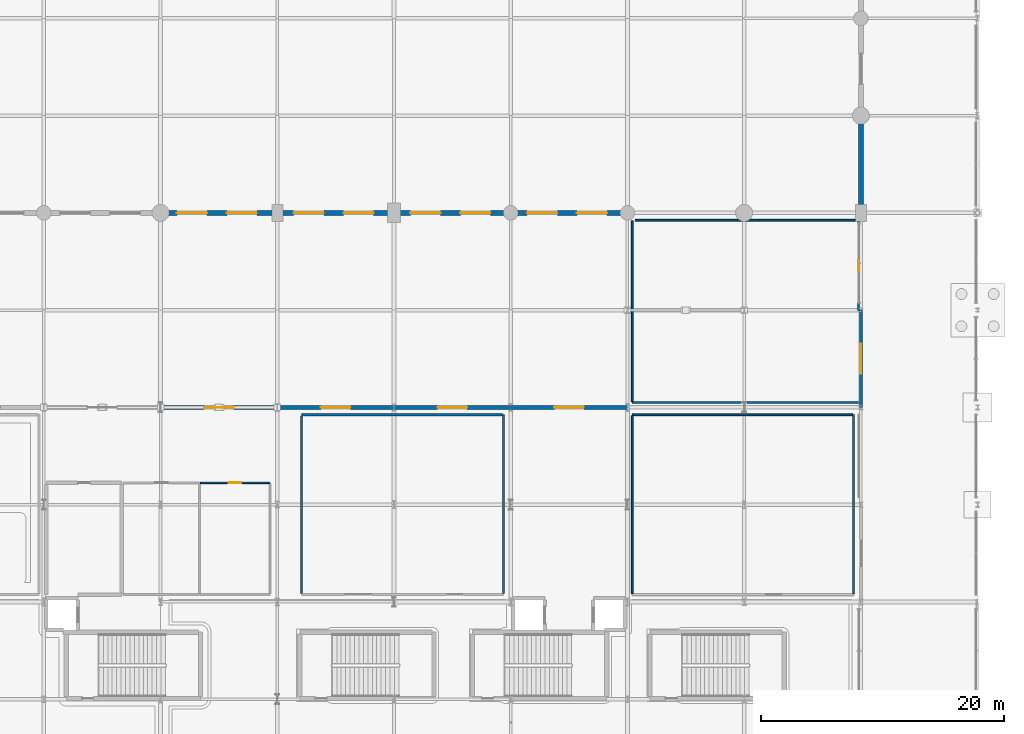
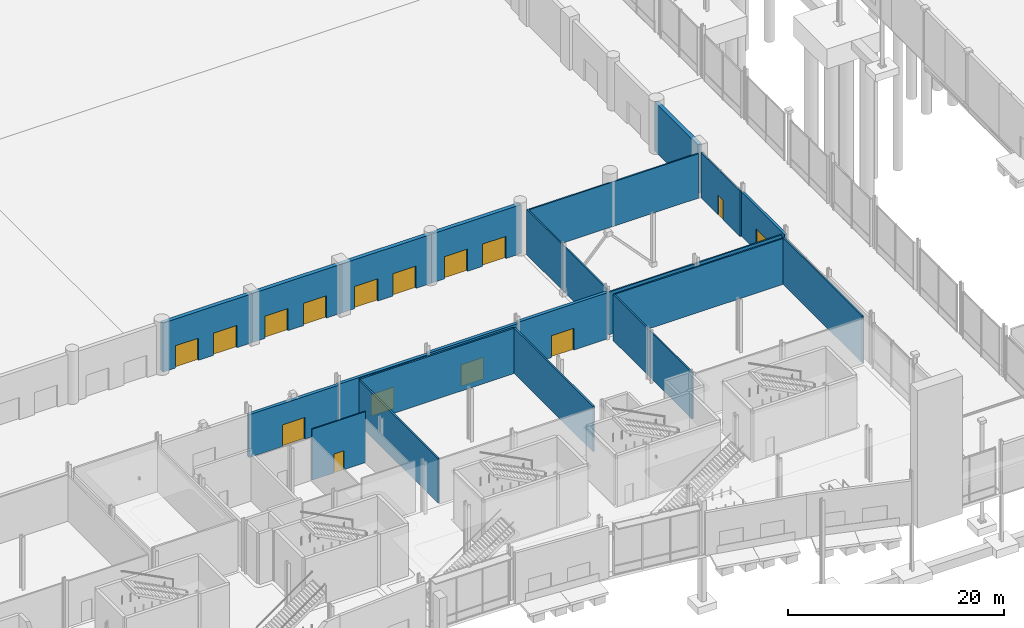
# One storey, part 76 of 124: 21 walls, 14 doors, 1 window, 15 openings.
"""IFC4 building model written with IfcOpenShell, lengths in metres."""

from ifc_helpers import new_model, si_unit, direction, frame, frame_2d, origin, place, context, subcontext, project, spatial, rectangle, extrude, material, layer, layer_set, type_object, element, fill, save


model = new_model("IFC4")

# Units and contexts
model_context = context("Model", 3, precision=1e-05, world=origin(), true_north=direction((0.0, 1.0)))
body_context = subcontext(model_context, "Body", "Model", "MODEL_VIEW")
ifc_project = project(units=[si_unit("LENGTHUNIT", "METRE"), si_unit("AREAUNIT", "SQUARE_METRE"), si_unit("VOLUMEUNIT", "CUBIC_METRE"), si_unit("PLANEANGLEUNIT", "RADIAN"), si_unit("MASSUNIT", "GRAM", prefix="KILO")], contexts=[model_context])

# Site, building, storey
site_placement = place(None, origin())
site = spatial("IfcSite", under=ifc_project, at=site_placement, CompositionType="ELEMENT")
building_placement = place(site_placement, origin())
building = spatial("IfcBuilding", under=site, at=building_placement, Name="Danafjord Basin Convention Centre", CompositionType="ELEMENT")
storey_placement = place(building_placement, origin())
storey = spatial("IfcBuildingStorey", under=building, at=storey_placement, Name="L00", CompositionType="ELEMENT", Elevation=0.0)

# Wall, opening, door
ifc_material_1 = material(Name="Precast concrete C40/50", Category="concrete")
ifc_layer_1 = layer(ifc_material_1, 0.340087890625)
ifc_layer_set_1 = layer_set([ifc_layer_1], Name="Precast concrete C40/50")
wall_type_1 = type_object("IfcWallType", Name="WALL-EW-PC340", PredefinedType="SOLIDWALL", material=ifc_layer_set_1)
wall_1_placement = place(storey_placement, frame((57.60009765625, 40.0, 0.0), z_axis=(0.0, 0.0, 1.0), x_axis=(1.0, 0.0, 0.0)))
wall_1 = element("IfcWall", 1, at=wall_1_placement, inside=storey, type_object=wall_type_1, Name="L00 courtyard north facade wall", PredefinedType="SOLIDWALL", context=body_context, shape_type="SweptSolid", body=[
    extrude(rectangle(XDim=9.599853515625, YDim=0.340087890625, at=frame_2d((4.7998046875, 0.0))), origin(), (0.0, 0.0, 1.0), 4.840087890625),
])
opening_1_placement = place(wall_1_placement, frame((3.590087890625, 0.0, 0.0)))
opening_1 = element("IfcOpeningElement", 2, at=opening_1_placement, cuts=wall_1, Name="Opening ED-03", PredefinedType="OPENING", context=body_context, shape_type="SweptSolid", body=[
    extrude(rectangle(XDim=2.419921875, YDim=2.4599609375, at=frame_2d((1.2099609375, 1.22998046875))), frame((0.0, 0.179931640625, 0.0), z_axis=(0.0, -1.0, 0.0), x_axis=(1.0, 0.0, 0.0)), (0.0, 0.0, 1.0), 0.360107421875),
])
ifc_material_2 = material(Name="Thermally broken anodised aluminium and steel", Category="steel")
door_type_1 = type_object("IfcDoorType", Name="DOOR-ED-03", OperationType="DOUBLE_DOOR_SINGLE_SWING", PredefinedType="DOOR", material=ifc_material_2)
door_1_placement = place(opening_1_placement, origin())
door_1 = element("IfcDoor", 3, at=door_1_placement, inside=storey, type_object=door_type_1, Name="Courtyard Concourse Exit Door", OperationType="DOUBLE_DOOR_SINGLE_SWING", OverallHeight=2.4599609375, OverallWidth=2.419921875, PredefinedType="DOOR", context=body_context, shape_type="SweptSolid", body=[
    extrude(rectangle(XDim=2.419921875, YDim=2.4599609375, at=frame_2d((1.2099609375, 1.22998046875))), frame((0.0, 0.02490234375, 0.0), z_axis=(0.0, -1.0, 0.0), x_axis=(1.0, 0.0, 0.0)), (0.0, 0.0, 1.0), 0.050048828125),
])
fill(opening_1, door_1)

wall_2_placement = place(storey_placement, frame((67.199951171875, 40.0, 0.0), z_axis=(0.0, 0.0, 1.0), x_axis=(1.0, 0.0, 0.0)))
wall_2 = element("IfcWall", 4, at=wall_2_placement, inside=storey, type_object=wall_type_1, Name="L00 courtyard north facade wall", PredefinedType="SOLIDWALL", context=body_context, shape_type="SweptSolid", body=[
    extrude(rectangle(XDim=9.60009765625, YDim=0.340087890625, at=frame_2d((4.800048828125, 0.0))), origin(), (0.0, 0.0, 1.0), 4.93994140625),
])
opening_2_placement = place(wall_2_placement, frame((3.590087890625, 0.0, 0.0)))
opening_2 = element("IfcOpeningElement", 5, at=opening_2_placement, cuts=wall_2, Name="Opening ED-03", PredefinedType="OPENING", context=body_context, shape_type="SweptSolid", body=[
    extrude(rectangle(XDim=2.419921875, YDim=2.4599609375, at=frame_2d((1.2099609375, 1.22998046875))), frame((0.0, 0.179931640625, 0.0), z_axis=(0.0, -1.0, 0.0), x_axis=(1.0, 0.0, 0.0)), (0.0, 0.0, 1.0), 0.360107421875),
])
door_2_placement = place(opening_2_placement, origin())
door_2 = element("IfcDoor", 6, at=door_2_placement, inside=storey, type_object=door_type_1, Name="Courtyard Concourse Exit Door", OperationType="DOUBLE_DOOR_SINGLE_SWING", OverallHeight=2.4599609375, OverallWidth=2.419921875, PredefinedType="DOOR", context=body_context, shape_type="SweptSolid", body=[
    extrude(rectangle(XDim=2.419921875, YDim=2.4599609375, at=frame_2d((1.2099609375, 1.22998046875))), frame((0.0, 0.02490234375, 0.0), z_axis=(0.0, -1.0, 0.0), x_axis=(1.0, 0.0, 0.0)), (0.0, 0.0, 1.0), 0.050048828125),
])
fill(opening_2, door_2)

wall_3_placement = place(storey_placement, frame((76.800048828125, 40.0, 0.0), z_axis=(0.0, 0.0, 1.0), x_axis=(1.0, 0.0, 0.0)))
wall_3 = element("IfcWall", 7, at=wall_3_placement, inside=storey, type_object=wall_type_1, Name="L00 courtyard north facade wall", PredefinedType="SOLIDWALL", context=body_context, shape_type="SweptSolid", body=[
    extrude(rectangle(XDim=9.599853515625, YDim=0.340087890625, at=frame_2d((4.7998046875, 0.0))), origin(), (0.0, 0.0, 1.0), 5.090087890625),
])
opening_3_placement = place(wall_3_placement, frame((3.590087890625, 0.0, 0.0)))
opening_3 = element("IfcOpeningElement", 8, at=opening_3_placement, cuts=wall_3, Name="Opening ED-03", PredefinedType="OPENING", context=body_context, shape_type="SweptSolid", body=[
    extrude(rectangle(XDim=2.419921875, YDim=2.4599609375, at=frame_2d((1.2099609375, 1.22998046875))), frame((0.0, 0.179931640625, 0.0), z_axis=(0.0, -1.0, 0.0), x_axis=(1.0, 0.0, 0.0)), (0.0, 0.0, 1.0), 0.360107421875),
])
door_3_placement = place(opening_3_placement, origin())
door_3 = element("IfcDoor", 9, at=door_3_placement, inside=storey, type_object=door_type_1, Name="Courtyard Concourse Exit Door", OperationType="DOUBLE_DOOR_SINGLE_SWING", OverallHeight=2.4599609375, OverallWidth=2.419921875, PredefinedType="DOOR", context=body_context, shape_type="SweptSolid", body=[
    extrude(rectangle(XDim=2.419921875, YDim=2.4599609375, at=frame_2d((1.2099609375, 1.22998046875))), frame((0.0, 0.02490234375, 0.0), z_axis=(0.0, -1.0, 0.0), x_axis=(1.0, 0.0, 0.0)), (0.0, 0.0, 1.0), 0.050048828125),
])
fill(opening_3, door_3)

wall_4_placement = place(storey_placement, frame((86.39990234375, 40.0, 0.0), z_axis=(0.0, 0.0, 1.0), x_axis=(1.0, 0.0, 0.0)))
wall_4 = element("IfcWall", 10, at=wall_4_placement, inside=storey, type_object=wall_type_1, Name="L00 courtyard north facade wall", PredefinedType="SOLIDWALL", context=body_context, shape_type="SweptSolid", body=[
    extrude(rectangle(XDim=9.60009765625, YDim=0.340087890625, at=frame_2d((4.800048828125, 0.0))), origin(), (0.0, 0.0, 1.0), 5.239990234375),
])
opening_4_placement = place(wall_4_placement, frame((3.590087890625, 0.0, 0.0)))
opening_4 = element("IfcOpeningElement", 11, at=opening_4_placement, cuts=wall_4, Name="Opening ED-03", PredefinedType="OPENING", context=body_context, shape_type="SweptSolid", body=[
    extrude(rectangle(XDim=2.419921875, YDim=2.4599609375, at=frame_2d((1.2099609375, 1.22998046875))), frame((0.0, 0.179931640625, 0.0), z_axis=(0.0, -1.0, 0.0), x_axis=(1.0, 0.0, 0.0)), (0.0, 0.0, 1.0), 0.360107421875),
])
door_4_placement = place(opening_4_placement, origin())
door_4 = element("IfcDoor", 12, at=door_4_placement, inside=storey, type_object=door_type_1, Name="Courtyard Concourse Exit Door", OperationType="DOUBLE_DOOR_SINGLE_SWING", OverallHeight=2.4599609375, OverallWidth=2.419921875, PredefinedType="DOOR", context=body_context, shape_type="SweptSolid", body=[
    extrude(rectangle(XDim=2.419921875, YDim=2.4599609375, at=frame_2d((1.2099609375, 1.22998046875))), frame((0.0, 0.02490234375, 0.0), z_axis=(0.0, -1.0, 0.0), x_axis=(1.0, 0.0, 0.0)), (0.0, 0.0, 1.0), 0.050048828125),
])
fill(opening_4, door_4)

# Wall, openings, doors
ifc_material_3 = material(Name="Precast concrete C45/55", Category="concrete")
ifc_layer_2 = layer(ifc_material_3, 0.419921875)
ifc_layer_set_2 = layer_set([ifc_layer_2], Name="Precast concrete C45/55")
wall_type_2 = type_object("IfcWallType", Name="WALL-EW-PC420", PredefinedType="SOLIDWALL", material=ifc_layer_set_2)
wall_5_placement = place(storey_placement, frame((57.60009765625, 56.0, 0.0), z_axis=(0.0, 0.0, 1.0), x_axis=(1.0, 0.0, 0.0)))
wall_5 = element("IfcWall", 13, at=wall_5_placement, inside=storey, type_object=wall_type_2, Name="Exhibition hall S acoustic precast wall bay 7", PredefinedType="SOLIDWALL", context=body_context, shape_type="SweptSolid", body=[
    extrude(rectangle(XDim=9.599853515625, YDim=0.419921875, at=frame_2d((4.7998046875, 0.0))), origin(), (0.0, 0.0, 1.0), 5.550048828125),
])
opening_5_placement = place(wall_5_placement, frame((1.35009765625, 0.0, 0.0)))
opening_5 = element("IfcOpeningElement", 14, at=opening_5_placement, cuts=wall_5, Name="Opening ED-02", PredefinedType="OPENING", context=body_context, shape_type="SweptSolid", body=[
    extrude(rectangle(XDim=2.47998046875, YDim=2.52001953125, at=frame_2d((1.239990234375, 1.260009765625))), frame((0.0, 0.219970703125, 0.0), z_axis=(0.0, -1.0, 0.0), x_axis=(1.0, 0.0, 0.0)), (0.0, 0.0, 1.0), 0.43994140625),
])
opening_6_placement = place(wall_5_placement, frame((5.449951171875, 0.0, 0.0)))
opening_6 = element("IfcOpeningElement", 15, at=opening_6_placement, cuts=wall_5, Name="Opening ED-02", PredefinedType="OPENING", context=body_context, shape_type="SweptSolid", body=[
    extrude(rectangle(XDim=2.47998046875, YDim=2.52001953125, at=frame_2d((1.239990234375, 1.260009765625))), frame((0.0, 0.219970703125, 0.0), z_axis=(0.0, -1.0, 0.0), x_axis=(1.0, 0.0, 0.0)), (0.0, 0.0, 1.0), 0.43994140625),
])
door_type_2 = type_object("IfcDoorType", Name="DOOR-ED-02", OperationType="DOUBLE_DOOR_SINGLE_SWING", PredefinedType="DOOR", material=ifc_material_2)
door_5_placement = place(opening_5_placement, origin())
door_5 = element("IfcDoor", 16, at=door_5_placement, inside=storey, type_object=door_type_2, Name="Exhibition Hall Exit Door EX-19", OperationType="DOUBLE_DOOR_SINGLE_SWING", OverallHeight=2.52001953125, OverallWidth=2.47998046875, PredefinedType="DOOR", context=body_context, shape_type="SweptSolid", body=[
    extrude(rectangle(XDim=2.47998046875, YDim=2.52001953125, at=frame_2d((1.239990234375, 1.260009765625))), frame((0.0, 0.02490234375, 0.0), z_axis=(0.0, -1.0, 0.0), x_axis=(1.0, 0.0, 0.0)), (0.0, 0.0, 1.0), 0.050048828125),
])
fill(opening_5, door_5)
door_6_placement = place(opening_6_placement, origin())
door_6 = element("IfcDoor", 17, at=door_6_placement, inside=storey, type_object=door_type_2, Name="Exhibition Hall Exit Door EX-20", OperationType="DOUBLE_DOOR_SINGLE_SWING", OverallHeight=2.52001953125, OverallWidth=2.47998046875, PredefinedType="DOOR", context=body_context, shape_type="SweptSolid", body=[
    extrude(rectangle(XDim=2.47998046875, YDim=2.52001953125, at=frame_2d((1.239990234375, 1.260009765625))), frame((0.0, 0.02490234375, 0.0), z_axis=(0.0, -1.0, 0.0), x_axis=(1.0, 0.0, 0.0)), (0.0, 0.0, 1.0), 0.050048828125),
])
fill(opening_6, door_6)

wall_6_placement = place(storey_placement, frame((67.199951171875, 56.0, 0.0), z_axis=(0.0, 0.0, 1.0), x_axis=(1.0, 0.0, 0.0)))
wall_6 = element("IfcWall", 18, at=wall_6_placement, inside=storey, type_object=wall_type_2, Name="Exhibition hall S acoustic precast wall bay 8", PredefinedType="SOLIDWALL", context=body_context, shape_type="SweptSolid", body=[
    extrude(rectangle(XDim=9.60009765625, YDim=0.419921875, at=frame_2d((4.800048828125, 0.0))), origin(), (0.0, 0.0, 1.0), 5.550048828125),
])
opening_7_placement = place(wall_6_placement, frame((1.35009765625, 0.0, 0.0)))
opening_7 = element("IfcOpeningElement", 19, at=opening_7_placement, cuts=wall_6, Name="Opening ED-02", PredefinedType="OPENING", context=body_context, shape_type="SweptSolid", body=[
    extrude(rectangle(XDim=2.47998046875, YDim=2.52001953125, at=frame_2d((1.239990234375, 1.260009765625))), frame((0.0, 0.219970703125, 0.0), z_axis=(0.0, -1.0, 0.0), x_axis=(1.0, 0.0, 0.0)), (0.0, 0.0, 1.0), 0.43994140625),
])
opening_8_placement = place(wall_6_placement, frame((5.449951171875, 0.0, 0.0)))
opening_8 = element("IfcOpeningElement", 20, at=opening_8_placement, cuts=wall_6, Name="Opening ED-02", PredefinedType="OPENING", context=body_context, shape_type="SweptSolid", body=[
    extrude(rectangle(XDim=2.47998046875, YDim=2.52001953125, at=frame_2d((1.239990234375, 1.260009765625))), frame((0.0, 0.219970703125, 0.0), z_axis=(0.0, -1.0, 0.0), x_axis=(1.0, 0.0, 0.0)), (0.0, 0.0, 1.0), 0.43994140625),
])
door_7_placement = place(opening_7_placement, origin())
door_7 = element("IfcDoor", 21, at=door_7_placement, inside=storey, type_object=door_type_2, Name="Exhibition Hall Exit Door EX-23", OperationType="DOUBLE_DOOR_SINGLE_SWING", OverallHeight=2.52001953125, OverallWidth=2.47998046875, PredefinedType="DOOR", context=body_context, shape_type="SweptSolid", body=[
    extrude(rectangle(XDim=2.47998046875, YDim=2.52001953125, at=frame_2d((1.239990234375, 1.260009765625))), frame((0.0, 0.02490234375, 0.0), z_axis=(0.0, -1.0, 0.0), x_axis=(1.0, 0.0, 0.0)), (0.0, 0.0, 1.0), 0.050048828125),
])
fill(opening_7, door_7)
door_8_placement = place(opening_8_placement, origin())
door_8 = element("IfcDoor", 22, at=door_8_placement, inside=storey, type_object=door_type_2, Name="Exhibition Hall Exit Door EX-24", OperationType="DOUBLE_DOOR_SINGLE_SWING", OverallHeight=2.52001953125, OverallWidth=2.47998046875, PredefinedType="DOOR", context=body_context, shape_type="SweptSolid", body=[
    extrude(rectangle(XDim=2.47998046875, YDim=2.52001953125, at=frame_2d((1.239990234375, 1.260009765625))), frame((0.0, 0.02490234375, 0.0), z_axis=(0.0, -1.0, 0.0), x_axis=(1.0, 0.0, 0.0)), (0.0, 0.0, 1.0), 0.050048828125),
])
fill(opening_8, door_8)

wall_7_placement = place(storey_placement, frame((76.800048828125, 56.0, 0.0), z_axis=(0.0, 0.0, 1.0), x_axis=(1.0, 0.0, 0.0)))
wall_7 = element("IfcWall", 23, at=wall_7_placement, inside=storey, type_object=wall_type_2, Name="Exhibition hall S acoustic precast wall bay 9", PredefinedType="SOLIDWALL", context=body_context, shape_type="SweptSolid", body=[
    extrude(rectangle(XDim=9.599853515625, YDim=0.419921875, at=frame_2d((4.7998046875, 0.0))), origin(), (0.0, 0.0, 1.0), 5.550048828125),
])
opening_9_placement = place(wall_7_placement, frame((1.35009765625, 0.0, 0.0)))
opening_9 = element("IfcOpeningElement", 24, at=opening_9_placement, cuts=wall_7, Name="Opening ED-02", PredefinedType="OPENING", context=body_context, shape_type="SweptSolid", body=[
    extrude(rectangle(XDim=2.47998046875, YDim=2.52001953125, at=frame_2d((1.239990234375, 1.260009765625))), frame((0.0, 0.219970703125, 0.0), z_axis=(0.0, -1.0, 0.0), x_axis=(1.0, 0.0, 0.0)), (0.0, 0.0, 1.0), 0.43994140625),
])
opening_10_placement = place(wall_7_placement, frame((5.449951171875, 0.0, 0.0)))
opening_10 = element("IfcOpeningElement", 25, at=opening_10_placement, cuts=wall_7, Name="Opening ED-02", PredefinedType="OPENING", context=body_context, shape_type="SweptSolid", body=[
    extrude(rectangle(XDim=2.47998046875, YDim=2.52001953125, at=frame_2d((1.239990234375, 1.260009765625))), frame((0.0, 0.219970703125, 0.0), z_axis=(0.0, -1.0, 0.0), x_axis=(1.0, 0.0, 0.0)), (0.0, 0.0, 1.0), 0.43994140625),
])
door_9_placement = place(opening_9_placement, origin())
door_9 = element("IfcDoor", 26, at=door_9_placement, inside=storey, type_object=door_type_2, Name="Exhibition Hall Exit Door EX-26", OperationType="DOUBLE_DOOR_SINGLE_SWING", OverallHeight=2.52001953125, OverallWidth=2.47998046875, PredefinedType="DOOR", context=body_context, shape_type="SweptSolid", body=[
    extrude(rectangle(XDim=2.47998046875, YDim=2.52001953125, at=frame_2d((1.239990234375, 1.260009765625))), frame((0.0, 0.02490234375, 0.0), z_axis=(0.0, -1.0, 0.0), x_axis=(1.0, 0.0, 0.0)), (0.0, 0.0, 1.0), 0.050048828125),
])
fill(opening_9, door_9)
door_10_placement = place(opening_10_placement, origin())
door_10 = element("IfcDoor", 27, at=door_10_placement, inside=storey, type_object=door_type_2, Name="Exhibition Hall Exit Door EX-27", OperationType="DOUBLE_DOOR_SINGLE_SWING", OverallHeight=2.52001953125, OverallWidth=2.47998046875, PredefinedType="DOOR", context=body_context, shape_type="SweptSolid", body=[
    extrude(rectangle(XDim=2.47998046875, YDim=2.52001953125, at=frame_2d((1.239990234375, 1.260009765625))), frame((0.0, 0.02490234375, 0.0), z_axis=(0.0, -1.0, 0.0), x_axis=(1.0, 0.0, 0.0)), (0.0, 0.0, 1.0), 0.050048828125),
])
fill(opening_10, door_10)

wall_8_placement = place(storey_placement, frame((86.39990234375, 56.0, 0.0), z_axis=(0.0, 0.0, 1.0), x_axis=(1.0, 0.0, 0.0)))
wall_8 = element("IfcWall", 28, at=wall_8_placement, inside=storey, type_object=wall_type_2, Name="Exhibition hall S acoustic precast wall bay 10", PredefinedType="SOLIDWALL", context=body_context, shape_type="SweptSolid", body=[
    extrude(rectangle(XDim=9.60009765625, YDim=0.419921875, at=frame_2d((4.800048828125, 0.0))), origin(), (0.0, 0.0, 1.0), 5.550048828125),
])
opening_11_placement = place(wall_8_placement, frame((1.35009765625, 0.0, 0.0)))
opening_11 = element("IfcOpeningElement", 29, at=opening_11_placement, cuts=wall_8, Name="Opening ED-02", PredefinedType="OPENING", context=body_context, shape_type="SweptSolid", body=[
    extrude(rectangle(XDim=2.47998046875, YDim=2.52001953125, at=frame_2d((1.239990234375, 1.260009765625))), frame((0.0, 0.219970703125, 0.0), z_axis=(0.0, -1.0, 0.0), x_axis=(1.0, 0.0, 0.0)), (0.0, 0.0, 1.0), 0.43994140625),
])
opening_12_placement = place(wall_8_placement, frame((5.449951171875, 0.0, 0.0)))
opening_12 = element("IfcOpeningElement", 30, at=opening_12_placement, cuts=wall_8, Name="Opening ED-02", PredefinedType="OPENING", context=body_context, shape_type="SweptSolid", body=[
    extrude(rectangle(XDim=2.47998046875, YDim=2.52001953125, at=frame_2d((1.239990234375, 1.260009765625))), frame((0.0, 0.219970703125, 0.0), z_axis=(0.0, -1.0, 0.0), x_axis=(1.0, 0.0, 0.0)), (0.0, 0.0, 1.0), 0.43994140625),
])
door_11_placement = place(opening_11_placement, origin())
door_11 = element("IfcDoor", 31, at=door_11_placement, inside=storey, type_object=door_type_2, Name="Exhibition Hall Exit Door EX-29", OperationType="DOUBLE_DOOR_SINGLE_SWING", OverallHeight=2.52001953125, OverallWidth=2.47998046875, PredefinedType="DOOR", context=body_context, shape_type="SweptSolid", body=[
    extrude(rectangle(XDim=2.47998046875, YDim=2.52001953125, at=frame_2d((1.239990234375, 1.260009765625))), frame((0.0, 0.02490234375, 0.0), z_axis=(0.0, -1.0, 0.0), x_axis=(1.0, 0.0, 0.0)), (0.0, 0.0, 1.0), 0.050048828125),
])
fill(opening_11, door_11)
door_12_placement = place(opening_12_placement, origin())
door_12 = element("IfcDoor", 32, at=door_12_placement, inside=storey, type_object=door_type_2, Name="Exhibition Hall Exit Door EX-30", OperationType="DOUBLE_DOOR_SINGLE_SWING", OverallHeight=2.52001953125, OverallWidth=2.47998046875, PredefinedType="DOOR", context=body_context, shape_type="SweptSolid", body=[
    extrude(rectangle(XDim=2.47998046875, YDim=2.52001953125, at=frame_2d((1.239990234375, 1.260009765625))), frame((0.0, 0.02490234375, 0.0), z_axis=(0.0, -1.0, 0.0), x_axis=(1.0, 0.0, 0.0)), (0.0, 0.0, 1.0), 0.050048828125),
])
fill(opening_12, door_12)

# Wall
wall_9_placement = place(storey_placement, frame((115.199951171875, 56.0, 0.0), z_axis=(0.0, 0.0, 1.0), x_axis=(0.0, 1.0, 0.0)))
element("IfcWall", 33, at=wall_9_placement, inside=storey, type_object=wall_type_2, Name="Exhibition hall E precast wall bay 1", PredefinedType="SOLIDWALL", context=body_context, shape_type="SweptSolid", body=[
    extrude(rectangle(XDim=8.0, YDim=0.419921875, at=frame_2d((4.0, 0.0))), origin(), (0.0, 0.0, 1.0), 5.550048828125),
])

# Wall, opening, window
ifc_material_4 = material(Name="Concrete C35/45", Category="concrete")
ifc_layer_3 = layer(ifc_material_4, 0.260009765625)
ifc_layer_set_3 = layer_set([ifc_layer_3], Name="Concrete C35/45")
wall_type_3 = type_object("IfcWallType", Name="WALL-EW-STD260", PredefinedType="STANDARD", material=ifc_layer_set_3)
wall_10_placement = place(storey_placement, frame((115.199951171875, 40.0, 0.0), z_axis=(0.0, 0.0, 1.0), x_axis=(0.0, 1.0, 0.0)))
wall_10 = element("IfcWall", 34, at=wall_10_placement, inside=storey, type_object=wall_type_3, Name="L00 E wing facade wall", PredefinedType="STANDARD", context=body_context, shape_type="SweptSolid", body=[
    extrude(rectangle(XDim=8.0, YDim=0.260009765625, at=frame_2d((4.0, 0.0))), origin(), (0.0, 0.0, 1.0), 5.0400390625),
])
opening_13_placement = place(wall_10_placement, frame((2.75, 0.0, 0.89990234375)))
opening_13 = element("IfcOpeningElement", 35, at=opening_13_placement, cuts=wall_10, Name="Opening WN-17", PredefinedType="OPENING", context=body_context, shape_type="SweptSolid", body=[
    extrude(rectangle(XDim=2.5, YDim=1.60009765625, at=frame_2d((1.25, 0.800048828125))), frame((0.0, 0.139892578125, 0.0), z_axis=(0.0, -1.0, 0.0), x_axis=(1.0, 0.0, 0.0)), (0.0, 0.0, 1.0), 0.280029296875),
])
ifc_material_5 = material(Name="Thermally broken aluminium and triple low-E glass", Category="aluminium")
window_type = type_object("IfcWindowType", Name="WIN-WN-17", PartitioningType="SINGLE_PANEL", PredefinedType="WINDOW", material=ifc_material_5)
window_placement = place(opening_13_placement, origin())
window = element("IfcWindow", 36, at=window_placement, inside=storey, type_object=window_type, Name="L00 E window WN-17", OverallHeight=1.60009765625, OverallWidth=2.5, PartitioningType="SINGLE_PANEL", PredefinedType="WINDOW", context=body_context, shape_type="SweptSolid", body=[
    extrude(rectangle(XDim=2.5, YDim=1.60009765625, at=frame_2d((1.25, 0.800048828125))), frame((0.0, 0.030029296875, 0.0), z_axis=(0.0, -1.0, 0.0), x_axis=(1.0, 0.0, 0.0)), (0.0, 0.0, 1.0), 0.06005859375),
])
fill(opening_13, window)

# Walls
ifc_material_6 = material(Name="Acoustic double-board gypsum stud partition")
ifc_layer_4 = layer(ifc_material_6, 0.175048828125)
ifc_layer_set_4 = layer_set([ifc_layer_4], Name="Acoustic double-board gypsum stud partition")
wall_type_4 = type_object("IfcWallType", Name="WALL-PT-AC175", PredefinedType="PARTITIONING", material=ifc_layer_set_4)
wall_11_placement = place(storey_placement, frame((85.800048828125, 24.69140625, 0.0), z_axis=(0.0, 0.0, 1.0), x_axis=(0.0, 1.0, 0.0)))
element("IfcWall", 37, at=wall_11_placement, inside=storey, type_object=wall_type_4, Name="Harbour Seminar Hall M02 east partition", PredefinedType="PARTITIONING", context=body_context, shape_type="SweptSolid", body=[
    extrude(rectangle(XDim=14.70849609375, YDim=0.175048828125, at=frame_2d((7.354248046875, 0.0))), origin(), (0.0, 0.0, 1.0), 5.139892578125),
])
wall_12_placement = place(storey_placement, frame((85.70849609375, 39.39990234375, 0.0), z_axis=(0.0, 0.0, 1.0), x_axis=(-1.0, 0.0, 0.0)))
element("IfcWall", 38, at=wall_12_placement, inside=storey, type_object=wall_type_4, Name="Harbour Seminar Hall M02 north partition", PredefinedType="PARTITIONING", context=body_context, shape_type="SweptSolid", body=[
    extrude(rectangle(XDim=16.508544921875, YDim=0.175048828125, at=frame_2d((8.25439453125, 0.0))), origin(), (0.0, 0.0, 1.0), 5.139892578125),
])
wall_13_placement = place(storey_placement, frame((69.199951171875, 39.30859375, 0.0), z_axis=(0.0, 0.0, 1.0), x_axis=(0.0, -1.0, 0.0)))
element("IfcWall", 39, at=wall_13_placement, inside=storey, type_object=wall_type_4, Name="Harbour Seminar Hall M02 west partition", PredefinedType="PARTITIONING", context=body_context, shape_type="SweptSolid", body=[
    extrude(rectangle(XDim=14.6171875, YDim=0.175048828125, at=frame_2d((7.30859375, 0.0))), origin(), (0.0, 0.0, 1.0), 5.0400390625),
])

# Wall, opening, door
ifc_material_7 = material(Name="Moisture-resistant gypsum stud partition")
ifc_layer_5 = layer(ifc_material_7, 0.1201171875)
ifc_layer_set_5 = layer_set([ifc_layer_5], Name="Moisture-resistant gypsum stud partition")
wall_type_5 = type_object("IfcWallType", Name="WALL-PT-ST120", PredefinedType="PARTITIONING", material=ifc_layer_set_5)
wall_14_placement = place(storey_placement, frame((66.60009765625, 33.800048828125, 0.0), z_axis=(0.0, 0.0, 1.0), x_axis=(-1.0, 0.0, 0.0)))
wall_14 = element("IfcWall", 40, at=wall_14_placement, inside=storey, type_object=wall_type_5, Name="Ground Concourse Accessible WC north partition", PredefinedType="PARTITIONING", context=body_context, shape_type="SweptSolid", body=[
    extrude(rectangle(XDim=5.736083984375, YDim=0.1201171875, at=frame_2d((2.8681640625, 0.0))), origin(), (0.0, 0.0, 1.0), 5.77001953125),
])
opening_14_placement = place(wall_14_placement, frame((2.35302734375, 0.0, 0.0)))
opening_14 = element("IfcOpeningElement", 41, at=opening_14_placement, cuts=wall_14, Name="Opening FD-S05", PredefinedType="OPENING", context=body_context, shape_type="SweptSolid", body=[
    extrude(rectangle(XDim=1.030029296875, YDim=2.139892578125, at=frame_2d((0.51513671875, 1.06982421875))), frame((0.0, 0.070068359375, 0.0), z_axis=(0.0, -1.0, 0.0), x_axis=(1.0, 0.0, 0.0)), (0.0, 0.0, 1.0), 0.14013671875),
])
ifc_material_8 = material(Name="Powder-coated steel and Nordic oak", Category="steel")
door_type_3 = type_object("IfcDoorType", Name="DOOR-FD-S05", OperationType="NOTDEFINED", PredefinedType="DOOR", material=ifc_material_8)
door_13_placement = place(opening_14_placement, origin())
door_13 = element("IfcDoor", 42, at=door_13_placement, inside=storey, type_object=door_type_3, Name="Ground Concourse Accessible WC Entrance Door", OperationType="SINGLE_SWING_LEFT", OverallHeight=2.139892578125, OverallWidth=1.030029296875, PredefinedType="DOOR", context=body_context, shape_type="SweptSolid", body=[
    extrude(rectangle(XDim=1.030029296875, YDim=2.139892578125, at=frame_2d((0.51513671875, 1.06982421875))), frame((0.0, 0.02490234375, 0.0), z_axis=(0.0, -1.0, 0.0), x_axis=(1.0, 0.0, 0.0)), (0.0, 0.0, 1.0), 0.050048828125),
])
fill(opening_14, door_13)

# Walls
ifc_material_9 = material(Name="Fire-rated gypsum metal-stud partition")
ifc_layer_6 = layer(ifc_material_9, 0.14990234375)
ifc_layer_set_6 = layer_set([ifc_layer_6], Name="Fire-rated gypsum metal-stud partition")
wall_type_6 = type_object("IfcWallType", Name="WALL-PT-ST150", PredefinedType="PARTITIONING", material=ifc_layer_set_6)
wall_15_placement = place(storey_placement, frame((114.60009765625, 24.678955078125, 0.0), z_axis=(0.0, 0.0, 1.0), x_axis=(0.0, 1.0, 0.0)))
element("IfcWall", 43, at=wall_15_placement, inside=storey, type_object=wall_type_6, Name="Delegate Business Centre and Kiosk east partition", PredefinedType="PARTITIONING", context=body_context, shape_type="SweptSolid", body=[
    extrude(rectangle(XDim=14.720947265625, YDim=0.14990234375, at=frame_2d((7.3603515625, 0.0))), origin(), (0.0, 0.0, 1.0), 5.2900390625),
])
wall_16_placement = place(storey_placement, frame((114.52099609375, 39.39990234375, 0.0), z_axis=(0.0, 0.0, 1.0), x_axis=(-1.0, 0.0, 0.0)))
element("IfcWall", 44, at=wall_16_placement, inside=storey, type_object=wall_type_6, Name="Delegate Business Centre and Kiosk north partition", PredefinedType="PARTITIONING", context=body_context, shape_type="SweptSolid", body=[
    extrude(rectangle(XDim=18.12109375, YDim=0.14990234375, at=frame_2d((9.060546875, 0.0))), origin(), (0.0, 0.0, 1.0), 5.18994140625),
])
wall_17_placement = place(storey_placement, frame((96.39990234375, 39.321044921875, 0.0), z_axis=(0.0, 0.0, 1.0), x_axis=(0.0, -1.0, 0.0)))
element("IfcWall", 45, at=wall_17_placement, inside=storey, type_object=wall_type_6, Name="Delegate Business Centre and Kiosk west partition", PredefinedType="PARTITIONING", context=body_context, shape_type="SweptSolid", body=[
    extrude(rectangle(XDim=14.64208984375, YDim=0.14990234375, at=frame_2d((7.321044921875, 0.0))), origin(), (0.0, 0.0, 1.0), 5.239990234375),
])

# Wall, opening, door
wall_18_placement = place(storey_placement, frame((115.0, 48.008056640625, 0.0), z_axis=(0.0, 0.0, 1.0), x_axis=(0.0, 1.0, 0.0)))
wall_18 = element("IfcWall", 46, at=wall_18_placement, inside=storey, type_object=wall_type_6, Name="Congress Organiser Services Office east partition", PredefinedType="PARTITIONING", context=body_context, shape_type="SweptSolid", body=[
    extrude(rectangle(XDim=7.27197265625, YDim=0.14990234375, at=frame_2d((3.635986328125, 0.0))), origin(), (0.0, 0.0, 1.0), 5.139892578125),
])
opening_15_placement = place(wall_18_placement, frame((3.1708984375, 0.0, 0.0)))
opening_15 = element("IfcOpeningElement", 47, at=opening_15_placement, cuts=wall_18, Name="Opening FD-S21", PredefinedType="OPENING", context=body_context, shape_type="SweptSolid", body=[
    extrude(rectangle(XDim=0.929931640625, YDim=2.219970703125, at=frame_2d((0.46484375, 1.10986328125))), frame((0.0, 0.0849609375, 0.0), z_axis=(0.0, -1.0, 0.0), x_axis=(1.0, 0.0, 0.0)), (0.0, 0.0, 1.0), 0.169921875),
])
door_type_4 = type_object("IfcDoorType", Name="DOOR-FD-S21", OperationType="NOTDEFINED", PredefinedType="DOOR", material=ifc_material_8)
door_14_placement = place(opening_15_placement, origin())
door_14 = element("IfcDoor", 48, at=door_14_placement, inside=storey, type_object=door_type_4, Name="Congress Organiser Services Office Entrance Door", OperationType="SINGLE_SWING_LEFT", OverallHeight=2.219970703125, OverallWidth=0.929931640625, PredefinedType="DOOR", context=body_context, shape_type="SweptSolid", body=[
    extrude(rectangle(XDim=0.929931640625, YDim=2.219970703125, at=frame_2d((0.46484375, 1.10986328125))), frame((0.0, 0.02490234375, 0.0), z_axis=(0.0, -1.0, 0.0), x_axis=(1.0, 0.0, 0.0)), (0.0, 0.0, 1.0), 0.050048828125),
])
fill(opening_15, door_14)

# Walls
wall_19_placement = place(storey_placement, frame((96.39990234375, 40.39990234375, 0.0), z_axis=(0.0, 0.0, 1.0), x_axis=(1.0, 0.0, 0.0)))
element("IfcWall", 49, at=wall_19_placement, inside=storey, type_object=wall_type_6, Name="Congress Organiser Services Office south partition", PredefinedType="PARTITIONING", context=body_context, shape_type="SweptSolid", body=[
    extrude(rectangle(XDim=18.60009765625, YDim=0.14990234375, at=frame_2d((9.300048828125, 0.0))), origin(), (0.0, 0.0, 1.0), 4.840087890625),
])
wall_20_placement = place(storey_placement, frame((114.719970703125, 55.39990234375, 0.0), z_axis=(0.0, 0.0, 1.0), x_axis=(-1.0, 0.0, 0.0)))
element("IfcWall", 50, at=wall_20_placement, inside=storey, type_object=wall_type_6, Name="Congress Organiser Services Office north partition", PredefinedType="PARTITIONING", context=body_context, shape_type="SweptSolid", body=[
    extrude(rectangle(XDim=18.080078125, YDim=0.14990234375, at=frame_2d((9.0400390625, 0.0))), origin(), (0.0, 0.0, 1.0), 5.0400390625),
])
wall_21_placement = place(storey_placement, frame((96.39990234375, 55.360107421875, 0.0), z_axis=(0.0, 0.0, 1.0), x_axis=(0.0, -1.0, 0.0)))
element("IfcWall", 51, at=wall_21_placement, inside=storey, type_object=wall_type_6, Name="Congress Organiser Services Office west partition", PredefinedType="PARTITIONING", context=body_context, shape_type="SweptSolid", body=[
    extrude(rectangle(XDim=14.881103515625, YDim=0.14990234375, at=frame_2d((7.4404296875, 0.0))), origin(), (0.0, 0.0, 1.0), 5.14990234375),
])

save(model, "model.ifc")
